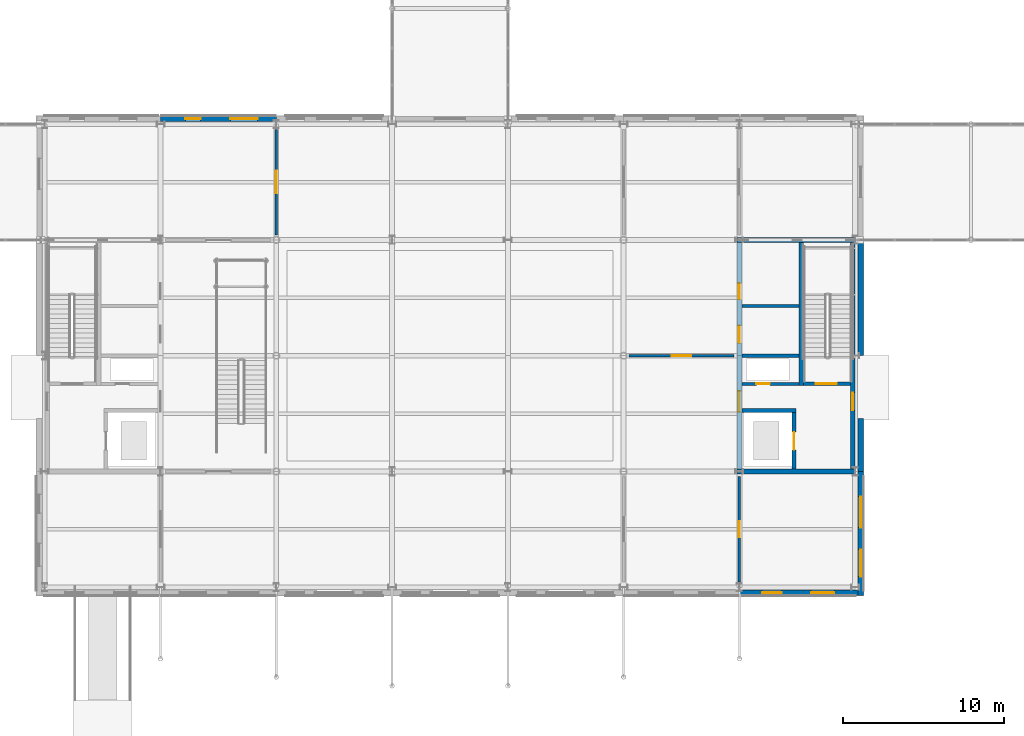
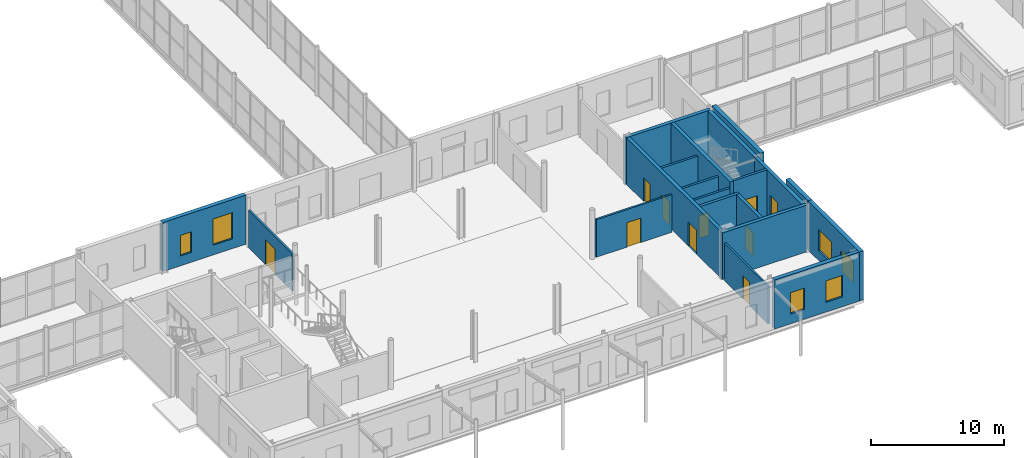
# One storey, part 58 of 92: 20 walls, 10 doors, 6 windows, 16 openings.
"""IFC4 building model written with IfcOpenShell, lengths in metres."""

from ifc_helpers import new_model, si_unit, direction, frame, frame_2d, origin, place, context, subcontext, project, spatial, rectangle, extrude, material, layer, layer_set, type_object, element, fill, save


model = new_model("IFC4")

# Units and contexts
model_context = context("Model", 3, precision=1e-05, world=origin(), true_north=direction((0.0, 1.0)))
body_context = subcontext(model_context, "Body", "Model", "MODEL_VIEW")
ifc_project = project(units=[si_unit("LENGTHUNIT", "METRE"), si_unit("AREAUNIT", "SQUARE_METRE"), si_unit("VOLUMEUNIT", "CUBIC_METRE"), si_unit("PLANEANGLEUNIT", "RADIAN"), si_unit("MASSUNIT", "GRAM", prefix="KILO")], contexts=[model_context])

# Site, building, storey
site_placement = place(None, origin())
site = spatial("IfcSite", under=ifc_project, at=site_placement, CompositionType="ELEMENT")
building_placement = place(site_placement, origin())
building = spatial("IfcBuilding", under=site, at=building_placement, Name="Zlatovets Crest Museum", CompositionType="ELEMENT")
storey_placement = place(building_placement, origin())
storey = spatial("IfcBuildingStorey", under=building, at=storey_placement, Name="L00", CompositionType="ELEMENT", Elevation=0.0)

# Walls
ifc_material_1 = material(Name="Concrete C35/45", Category="concrete")
ifc_layer_1 = layer(ifc_material_1, 0.300048828125)
ifc_layer_set_1 = layer_set([ifc_layer_1], Name="Concrete C35/45")
wall_type_1 = type_object("IfcWallType", Name="CoreWall_SW01", PredefinedType="SHEAR", material=ifc_layer_set_1)
for number, where, z_axis, x_axis, name in (
    (1, (100.64990234375, 7.199951171875, 0.0), (0.0, 0.0, 1.0), (1.0, 0.0, 0.0), "Core C8 L00 South Shear Wall"),
    (2, (100.64990234375, 21.60009765625, 0.0), (0.0, 0.0, 1.0), (1.0, 0.0, 0.0), "Core C8 L00 North Shear Wall"),
):
    element("IfcWall", number, at=place(storey_placement, frame(where, z_axis=z_axis, x_axis=x_axis)), inside=storey, type_object=wall_type_1, Name=name, PredefinedType="SHEAR", context=body_context, shape_type="SweptSolid", body=[
        extrude(rectangle(XDim=7.35009765625, YDim=0.300048828125, at=frame_2d((3.675048828125, 0.0))), origin(), (0.0, 0.0, 1.0), 4.280029296875),
    ])

# Wall, opening, door
wall_1_placement = place(storey_placement, frame((107.85009765625, 7.35009765625, 0.0), z_axis=(0.0, 0.0, 1.0), x_axis=(0.0, 1.0, 0.0)))
wall_1 = element("IfcWall", 3, at=wall_1_placement, inside=storey, type_object=wall_type_1, Name="Core C8 L00 Protected Lobby Exterior Shear Wall", PredefinedType="SHEAR", context=body_context, shape_type="SweptSolid", body=[
    extrude(rectangle(XDim=7.0498046875, YDim=0.300048828125, at=frame_2d((3.52490234375, 0.0))), origin(), (0.0, 0.0, 1.0), 4.280029296875),
])
opening_1_placement = place(wall_1_placement, frame((3.64990234375, 0.0, 0.0)))
opening_1 = element("IfcOpeningElement", 4, at=opening_1_placement, cuts=wall_1, Name="Opening ED-03", PredefinedType="OPENING", context=body_context, shape_type="SweptSolid", body=[
    extrude(rectangle(XDim=1.10009765625, YDim=2.199951171875, at=frame_2d((0.550048828125, 1.10009765625))), frame((0.0, 0.16015625, 0.0), z_axis=(0.0, -1.0, 0.0), x_axis=(1.0, 0.0, 0.0)), (0.0, 0.0, 1.0), 0.320068359375),
])
ifc_material_2 = material(Name="Bronze-clad insulated steel door", Category="steel")
door_type_1 = type_object("IfcDoorType", Name="ExtDoor_ED-03", OperationType="NOTDEFINED", PredefinedType="DOOR", material=ifc_material_2)
door_1_placement = place(opening_1_placement, origin())
door_1 = element("IfcDoor", 5, at=door_1_placement, inside=storey, type_object=door_type_1, Name="ED-ST9-EXIT Stair ST9 Direct Final Exterior Exit Door", OperationType="SINGLE_SWING_LEFT", OverallHeight=2.199951171875, OverallWidth=1.10009765625, PredefinedType="DOOR", context=body_context, shape_type="SweptSolid", body=[
    extrude(rectangle(XDim=1.10009765625, YDim=2.199951171875, at=frame_2d((0.550048828125, 1.10009765625))), frame((0.0, 0.02490234375, 0.0), z_axis=(0.0, -1.0, 0.0), x_axis=(1.0, 0.0, 0.0)), (0.0, 0.0, 1.0), 0.050048828125),
])
fill(opening_1, door_1)

# Wall
wall_2_placement = place(storey_placement, frame((107.85009765625, 14.39990234375, 0.0), z_axis=(0.0, 0.0, 1.0), x_axis=(0.0, 1.0, 0.0)))
element("IfcWall", 6, at=wall_2_placement, inside=storey, type_object=wall_type_1, Name="Core C8 L00 Stairwell Perimeter Shear Wall", PredefinedType="SHEAR", context=body_context, shape_type="SweptSolid", body=[
    extrude(rectangle(XDim=7.050048828125, YDim=0.300048828125, at=frame_2d((3.52490234375, 0.0))), origin(), (0.0, 0.0, 1.0), 4.280029296875),
])

# Wall, openings, doors
wall_3_placement = place(storey_placement, frame((100.800048828125, 7.35009765625, 0.0), z_axis=(0.0, 0.0, 1.0), x_axis=(0.0, 1.0, 0.0)))
wall_3 = element("IfcWall", 7, at=wall_3_placement, inside=storey, type_object=wall_type_1, Name="Core C8 L00 Spine Shear Wall", PredefinedType="SHEAR", context=body_context, shape_type="SweptSolid", body=[
    extrude(rectangle(XDim=14.099853515625, YDim=0.300048828125, at=frame_2d((7.0498046875, 0.0))), origin(), (0.0, 0.0, 1.0), 4.280029296875),
])
opening_2_placement = place(wall_3_placement, frame((3.550048828125, 0.0, 0.0)))
opening_2 = element("IfcOpeningElement", 8, at=opening_2_placement, cuts=wall_3, Name="Opening FD-01", PredefinedType="OPENING", context=body_context, shape_type="SweptSolid", body=[
    extrude(rectangle(XDim=1.300048828125, YDim=2.199951171875, at=frame_2d((0.64990234375, 1.10009765625))), frame((0.0, 0.16015625, 0.0), z_axis=(0.0, -1.0, 0.0), x_axis=(1.0, 0.0, 0.0)), (0.0, 0.0, 1.0), 0.320068359375),
])
opening_3_placement = place(wall_3_placement, frame((7.85009765625, 0.0, 0.0)))
opening_3 = element("IfcOpeningElement", 9, at=opening_3_placement, cuts=wall_3, Name="Opening ID-02", PredefinedType="OPENING", context=body_context, shape_type="SweptSolid", body=[
    extrude(rectangle(XDim=1.050048828125, YDim=2.14990234375, at=frame_2d((0.52490234375, 1.074951171875))), frame((0.0, 0.16015625, 0.0), z_axis=(0.0, -1.0, 0.0), x_axis=(1.0, 0.0, 0.0)), (0.0, 0.0, 1.0), 0.320068359375),
])
opening_4_placement = place(wall_3_placement, frame((10.550048828125, 0.0, 0.0)))
opening_4 = element("IfcOpeningElement", 10, at=opening_4_placement, cuts=wall_3, Name="Opening ID-01", PredefinedType="OPENING", context=body_context, shape_type="SweptSolid", body=[
    extrude(rectangle(XDim=1.0, YDim=2.14990234375, at=frame_2d((0.5, 1.074951171875))), frame((0.0, 0.16015625, 0.0), z_axis=(0.0, -1.0, 0.0), x_axis=(1.0, 0.0, 0.0)), (0.0, 0.0, 1.0), 0.320068359375),
])
ifc_material_3 = material(Name="Smoke-sealed steel fire door", Category="steel")
door_type_2 = type_object("IfcDoorType", Name="IntDoor_FD-01", OperationType="NOTDEFINED", PredefinedType="DOOR", material=ifc_material_3)
door_2_placement = place(opening_2_placement, origin())
door_2 = element("IfcDoor", 11, at=door_2_placement, inside=storey, type_object=door_type_2, Name="CDOOR-C8-L00-LOB Core C8 L00 Lobby Fire Door", OperationType="SINGLE_SWING_RIGHT", OverallHeight=2.199951171875, OverallWidth=1.300048828125, PredefinedType="DOOR", context=body_context, shape_type="SweptSolid", body=[
    extrude(rectangle(XDim=1.300048828125, YDim=2.199951171875, at=frame_2d((0.64990234375, 1.10009765625))), frame((0.0, 0.02490234375, 0.0), z_axis=(0.0, -1.0, 0.0), x_axis=(1.0, 0.0, 0.0)), (0.0, 0.0, 1.0), 0.050048828125),
])
fill(opening_2, door_2)
ifc_material_4 = material(Name="Solid oak museum room door")
door_type_3 = type_object("IfcDoorType", Name="IntDoor_ID-01", OperationType="NOTDEFINED", PredefinedType="DOOR", material=ifc_material_4)
door_3_placement = place(opening_4_placement, origin())
door_3 = element("IfcDoor", 12, at=door_3_placement, inside=storey, type_object=door_type_3, Name="CDOOR-C8-L00-WC Core C8 L00 Public Restroom Door", OperationType="SINGLE_SWING_RIGHT", OverallHeight=2.14990234375, OverallWidth=1.0, PredefinedType="DOOR", context=body_context, shape_type="SweptSolid", body=[
    extrude(rectangle(XDim=1.0, YDim=2.14990234375, at=frame_2d((0.5, 1.074951171875))), frame((0.0, 0.02490234375, 0.0), z_axis=(0.0, -1.0, 0.0), x_axis=(1.0, 0.0, 0.0)), (0.0, 0.0, 1.0), 0.050048828125),
])
fill(opening_4, door_3)
ifc_material_5 = material(Name="Accessible sanitary room door")
door_type_4 = type_object("IfcDoorType", Name="IntDoor_ID-02", OperationType="NOTDEFINED", PredefinedType="DOOR", material=ifc_material_5)
door_4_placement = place(opening_3_placement, origin())
door_4 = element("IfcDoor", 13, at=door_4_placement, inside=storey, type_object=door_type_4, Name="CDOOR-C8-L00-AWC Core C8 L00 Accessible WC Door", OperationType="SINGLE_SWING_LEFT", OverallHeight=2.14990234375, OverallWidth=1.050048828125, PredefinedType="DOOR", context=body_context, shape_type="SweptSolid", body=[
    extrude(rectangle(XDim=1.050048828125, YDim=2.14990234375, at=frame_2d((0.52490234375, 1.074951171875))), frame((0.0, 0.02490234375, 0.0), z_axis=(0.0, -1.0, 0.0), x_axis=(1.0, 0.0, 0.0)), (0.0, 0.0, 1.0), 0.050048828125),
])
fill(opening_3, door_4)

# Wall
wall_4_placement = place(storey_placement, frame((104.64990234375, 12.5400390625, 0.0), z_axis=(0.0, 0.0, 1.0), x_axis=(0.0, 1.0, 0.0)))
element("IfcWall", 14, at=wall_4_placement, inside=storey, type_object=wall_type_1, Name="Core C8 L00 Stair Divider Wall", PredefinedType="SHEAR", context=body_context, shape_type="SweptSolid", body=[
    extrude(rectangle(XDim=8.909912109375, YDim=0.300048828125, at=frame_2d((4.455078125, 0.0))), origin(), (0.0, 0.0, 1.0), 4.280029296875),
])

# Wall, opening, door
ifc_layer_2 = layer(ifc_material_1, 0.25)
ifc_layer_set_2 = layer_set([ifc_layer_2], Name="Concrete C35/45")
wall_type_2 = type_object("IfcWallType", Name="CoreWall_SW02", PredefinedType="SHEAR", material=ifc_layer_set_2)
wall_5_placement = place(storey_placement, frame((104.199951171875, 7.35009765625, 0.0), z_axis=(0.0, 0.0, 1.0), x_axis=(0.0, 1.0, 0.0)))
wall_5 = element("IfcWall", 15, at=wall_5_placement, inside=storey, type_object=wall_type_2, Name="Core C8 L00 Lift Shaft Wall", PredefinedType="SHEAR", context=body_context, shape_type="SweptSolid", body=[
    extrude(rectangle(XDim=3.52490234375, YDim=0.25, at=frame_2d((1.762451171875, 0.0))), origin(), (0.0, 0.0, 1.0), 4.280029296875),
])
opening_5_placement = place(wall_5_placement, frame((1.199951171875, 0.0, 0.0)))
opening_5 = element("IfcOpeningElement", 16, at=opening_5_placement, cuts=wall_5, Name="Opening LD-01", PredefinedType="OPENING", context=body_context, shape_type="SweptSolid", body=[
    extrude(rectangle(XDim=1.10009765625, YDim=2.14990234375, at=frame_2d((0.550048828125, 1.074951171875))), frame((0.0, 0.135009765625, 0.0), z_axis=(0.0, -1.0, 0.0), x_axis=(1.0, 0.0, 0.0)), (0.0, 0.0, 1.0), 0.27001953125),
])
ifc_material_6 = material(Name="Stainless-bronze sliding lift landing door")
door_type_5 = type_object("IfcDoorType", Name="IntDoor_LD-01", OperationType="SLIDING_TO_LEFT", PredefinedType="DOOR", material=ifc_material_6)
door_5_placement = place(opening_5_placement, origin())
door_5 = element("IfcDoor", 17, at=door_5_placement, inside=storey, type_object=door_type_5, Name="LDOOR-PL5-L00 Lift PL5 L00 Sliding Landing Door", OperationType="SLIDING_TO_LEFT", OverallHeight=2.14990234375, OverallWidth=1.10009765625, PredefinedType="DOOR", context=body_context, shape_type="SweptSolid", body=[
    extrude(rectangle(XDim=1.10009765625, YDim=2.14990234375, at=frame_2d((0.550048828125, 1.074951171875))), frame((0.0, 0.02490234375, 0.0), z_axis=(0.0, -1.0, 0.0), x_axis=(1.0, 0.0, 0.0)), (0.0, 0.0, 1.0), 0.050048828125),
])
fill(opening_5, door_5)

wall_6_placement = place(storey_placement, frame((104.800048828125, 12.64990234375, 0.0), z_axis=(0.0, 0.0, 1.0), x_axis=(1.0, 0.0, 0.0)))
wall_6 = element("IfcWall", 18, at=wall_6_placement, inside=storey, type_object=wall_type_2, Name="Core C8 L00 Stairwell Fire Wall", PredefinedType="SHEAR", context=body_context, shape_type="SweptSolid", body=[
    extrude(rectangle(XDim=2.89990234375, YDim=0.219970703125, at=frame_2d((1.449951171875, 0.0))), origin(), (0.0, 0.0, 1.0), 4.280029296875),
])
opening_6_placement = place(wall_6_placement, frame((0.75, 0.0, 0.0)))
opening_6 = element("IfcOpeningElement", 19, at=opening_6_placement, cuts=wall_6, Name="Opening FD-01", PredefinedType="OPENING", context=body_context, shape_type="SweptSolid", body=[
    extrude(rectangle(XDim=1.300048828125, YDim=2.199951171875, at=frame_2d((0.64990234375, 1.10009765625))), frame((0.0, 0.1201171875, 0.0), z_axis=(0.0, -1.0, 0.0), x_axis=(1.0, 0.0, 0.0)), (0.0, 0.0, 1.0), 0.239990234375),
])
door_6_placement = place(opening_6_placement, origin())
door_6 = element("IfcDoor", 20, at=door_6_placement, inside=storey, type_object=door_type_2, Name="SDOOR-ST9-L00 Stair ST9 L00 Fire Door", OperationType="SINGLE_SWING_LEFT", OverallHeight=2.199951171875, OverallWidth=1.300048828125, PredefinedType="DOOR", context=body_context, shape_type="SweptSolid", body=[
    extrude(rectangle(XDim=1.300048828125, YDim=2.199951171875, at=frame_2d((0.64990234375, 1.10009765625))), frame((0.0, 0.02490234375, 0.0), z_axis=(0.0, -1.0, 0.0), x_axis=(1.0, 0.0, 0.0)), (0.0, 0.0, 1.0), 0.050048828125),
])
fill(opening_6, door_6)

# Wall
wall_7_placement = place(storey_placement, frame((100.949951171875, 11.0, 0.0), z_axis=(0.0, 0.0, 1.0), x_axis=(1.0, 0.0, 0.0)))
element("IfcWall", 21, at=wall_7_placement, inside=storey, type_object=wall_type_2, Name="Core C8 L00 Lift Shaft North Shear Wall", PredefinedType="SHEAR", context=body_context, shape_type="SweptSolid", body=[
    extrude(rectangle(XDim=3.375, YDim=0.25, at=frame_2d((1.6875, 0.0))), origin(), (0.0, 0.0, 1.0), 4.280029296875),
])

# Wall, openings, windows
ifc_material_7 = material(Name="Vratsa limestone ashlar masonry and mineral wool", Category="masonry")
ifc_layer_3 = layer(ifc_material_7, 0.35009765625)
ifc_layer_set_3 = layer_set([ifc_layer_3], Name="Vratsa limestone ashlar masonry and mineral wool")
wall_type_3 = type_object("IfcWallType", Name="ExtWall_EW-01", PredefinedType="STANDARD", material=ifc_layer_set_3)
wall_8_placement = place(storey_placement, frame((100.800048828125, -0.340087890625, 0.0), z_axis=(0.0, 0.0, 1.0), x_axis=(1.0, 0.0, 0.0)))
wall_8 = element("IfcWall", 22, at=wall_8_placement, inside=storey, type_object=wall_type_3, Name="V2 L00 Vratsa Limestone Plinth Wall", PredefinedType="STANDARD", context=body_context, shape_type="SweptSolid", body=[
    extrude(rectangle(XDim=7.364990234375, YDim=0.35009765625, at=frame_2d((3.6826171875, 0.0))), origin(), (0.0, 0.0, 1.0), 4.5),
])
opening_7_placement = place(wall_8_placement, frame((1.410888671875, 0.0, 0.89990234375)))
opening_7 = element("IfcOpeningElement", 23, at=opening_7_placement, cuts=wall_8, Name="Opening WN-35", PredefinedType="OPENING", context=body_context, shape_type="SweptSolid", body=[
    extrude(rectangle(XDim=1.2099609375, YDim=1.9599609375, at=frame_2d((0.60498046875, 0.97998046875))), frame((0.0, 0.18505859375, 0.0), z_axis=(0.0, -1.0, 0.0), x_axis=(1.0, 0.0, 0.0)), (0.0, 0.0, 1.0), 0.3701171875),
])
opening_8_placement = place(wall_8_placement, frame((4.458984375, 0.0, 0.89990234375)))
opening_8 = element("IfcOpeningElement", 24, at=opening_8_placement, cuts=wall_8, Name="Opening WN-36", PredefinedType="OPENING", context=body_context, shape_type="SweptSolid", body=[
    extrude(rectangle(XDim=1.449951171875, YDim=1.9599609375, at=frame_2d((0.72509765625, 0.97998046875))), frame((0.0, 0.18505859375, 0.0), z_axis=(0.0, -1.0, 0.0), x_axis=(1.0, 0.0, 0.0)), (0.0, 0.0, 1.0), 0.3701171875),
])
ifc_material_8 = material(Name="Bronze-anodised aluminium frame with low-E triple glass", Category="aluminium")
window_type_1 = type_object("IfcWindowType", Name="Win_WN-35", PartitioningType="SINGLE_PANEL", PredefinedType="WINDOW", material=ifc_material_8)
window_1_placement = place(opening_7_placement, origin())
window_1 = element("IfcWindow", 25, at=window_1_placement, inside=storey, type_object=window_type_1, Name="V2 L00 Secession Plinth Window WN-35", OverallHeight=1.9599609375, OverallWidth=1.2099609375, PartitioningType="SINGLE_PANEL", PredefinedType="WINDOW", context=body_context, shape_type="SweptSolid", body=[
    extrude(rectangle(XDim=1.2099609375, YDim=1.9599609375, at=frame_2d((0.60498046875, 0.97998046875))), frame((0.0, 0.030029296875, 0.0), z_axis=(0.0, -1.0, 0.0), x_axis=(1.0, 0.0, 0.0)), (0.0, 0.0, 1.0), 0.06005859375),
])
fill(opening_7, window_1)
window_type_2 = type_object("IfcWindowType", Name="Win_WN-36", PartitioningType="SINGLE_PANEL", PredefinedType="WINDOW", material=ifc_material_8)
window_2_placement = place(opening_8_placement, origin())
window_2 = element("IfcWindow", 26, at=window_2_placement, inside=storey, type_object=window_type_2, Name="V2 L00 Secession Plinth Window WN-36", OverallHeight=1.9599609375, OverallWidth=1.449951171875, PartitioningType="SINGLE_PANEL", PredefinedType="WINDOW", context=body_context, shape_type="SweptSolid", body=[
    extrude(rectangle(XDim=1.449951171875, YDim=1.9599609375, at=frame_2d((0.72509765625, 0.97998046875))), frame((0.0, 0.030029296875, 0.0), z_axis=(0.0, -1.0, 0.0), x_axis=(1.0, 0.0, 0.0)), (0.0, 0.0, 1.0), 0.06005859375),
])
fill(opening_8, window_2)

wall_9_placement = place(storey_placement, frame((108.340087890625, -0.514892578125, 0.0), z_axis=(0.0, 0.0, 1.0), x_axis=(0.0, 1.0, 0.0)))
wall_9 = element("IfcWall", 27, at=wall_9_placement, inside=storey, type_object=wall_type_3, Name="V2 L00 Vratsa Limestone Plinth Wall", PredefinedType="STANDARD", context=body_context, shape_type="SweptSolid", body=[
    extrude(rectangle(XDim=7.71484375, YDim=0.35009765625, at=frame_2d((3.857421875, 0.0))), origin(), (0.0, 0.0, 1.0), 4.5),
])
opening_9_placement = place(wall_9_placement, frame((1.1708984375, 0.0, 0.89990234375)))
opening_9 = element("IfcOpeningElement", 28, at=opening_9_placement, cuts=wall_9, Name="Opening WN-37", PredefinedType="OPENING", context=body_context, shape_type="SweptSolid", body=[
    extrude(rectangle(XDim=1.68994140625, YDim=1.9599609375, at=frame_2d((0.844970703125, 0.97998046875))), frame((0.0, 0.18505859375, 0.0), z_axis=(0.0, -1.0, 0.0), x_axis=(1.0, 0.0, 0.0)), (0.0, 0.0, 1.0), 0.3701171875),
])
opening_10_placement = place(wall_9_placement, frame((4.218994140625, 0.0, 0.89990234375)))
opening_10 = element("IfcOpeningElement", 29, at=opening_10_placement, cuts=wall_9, Name="Opening WN-38", PredefinedType="OPENING", context=body_context, shape_type="SweptSolid", body=[
    extrude(rectangle(XDim=1.929931640625, YDim=1.9599609375, at=frame_2d((0.96484375, 0.97998046875))), frame((0.0, 0.18505859375, 0.0), z_axis=(0.0, -1.0, 0.0), x_axis=(1.0, 0.0, 0.0)), (0.0, 0.0, 1.0), 0.3701171875),
])
window_type_3 = type_object("IfcWindowType", Name="Win_WN-37", PartitioningType="SINGLE_PANEL", PredefinedType="WINDOW", material=ifc_material_8)
window_3_placement = place(opening_9_placement, origin())
window_3 = element("IfcWindow", 30, at=window_3_placement, inside=storey, type_object=window_type_3, Name="V2 L00 Secession Plinth Window WN-37", OverallHeight=1.9599609375, OverallWidth=1.68994140625, PartitioningType="SINGLE_PANEL", PredefinedType="WINDOW", context=body_context, shape_type="SweptSolid", body=[
    extrude(rectangle(XDim=1.68994140625, YDim=1.9599609375, at=frame_2d((0.844970703125, 0.97998046875))), frame((0.0, 0.030029296875, 0.0), z_axis=(0.0, -1.0, 0.0), x_axis=(1.0, 0.0, 0.0)), (0.0, 0.0, 1.0), 0.06005859375),
])
fill(opening_9, window_3)
window_type_4 = type_object("IfcWindowType", Name="Win_WN-38", PartitioningType="SINGLE_PANEL", PredefinedType="WINDOW", material=ifc_material_8)
window_4_placement = place(opening_10_placement, origin())
window_4 = element("IfcWindow", 31, at=window_4_placement, inside=storey, type_object=window_type_4, Name="V2 L00 Secession Plinth Window WN-38", OverallHeight=1.9599609375, OverallWidth=1.929931640625, PartitioningType="SINGLE_PANEL", PredefinedType="WINDOW", context=body_context, shape_type="SweptSolid", body=[
    extrude(rectangle(XDim=1.929931640625, YDim=1.9599609375, at=frame_2d((0.96484375, 0.97998046875))), frame((0.0, 0.030029296875, 0.0), z_axis=(0.0, -1.0, 0.0), x_axis=(1.0, 0.0, 0.0)), (0.0, 0.0, 1.0), 0.06005859375),
])
fill(opening_10, window_4)

# Walls
wall_10_placement = place(storey_placement, frame((108.340087890625, 7.199951171875, 0.0), z_axis=(0.0, 0.0, 1.0), x_axis=(0.0, 1.0, 0.0)))
element("IfcWall", 32, at=wall_10_placement, inside=storey, type_object=wall_type_3, Name="V2 L00 Vratsa Limestone Core Plinth", PredefinedType="STANDARD", context=body_context, shape_type="SweptSolid", body=[
    extrude(rectangle(XDim=3.300048828125, YDim=0.35009765625, at=frame_2d((1.64990234375, 0.0))), origin(), (0.0, 0.0, 1.0), 4.5),
])
wall_11_placement = place(storey_placement, frame((108.340087890625, 14.39990234375, 0.0), z_axis=(0.0, 0.0, 1.0), x_axis=(0.0, 1.0, 0.0)))
element("IfcWall", 33, at=wall_11_placement, inside=storey, type_object=wall_type_3, Name="V2 L00 Vratsa Limestone Core Plinth", PredefinedType="STANDARD", context=body_context, shape_type="SweptSolid", body=[
    extrude(rectangle(XDim=7.2001953125, YDim=0.35009765625, at=frame_2d((3.60009765625, 0.0))), origin(), (0.0, 0.0, 1.0), 4.5),
])

# Wall, openings, windows
wall_12_placement = place(storey_placement, frame((72.0, 29.139892578125, 0.0), z_axis=(0.0, 0.0, 1.0), x_axis=(-1.0, 0.0, 0.0)))
wall_12 = element("IfcWall", 34, at=wall_12_placement, inside=storey, type_object=wall_type_3, Name="V2 L00 Vratsa Limestone Plinth Wall", PredefinedType="STANDARD", context=body_context, shape_type="SweptSolid", body=[
    extrude(rectangle(XDim=7.199951171875, YDim=0.35009765625, at=frame_2d((3.60009765625, 0.0))), origin(), (0.0, 0.0, 1.0), 4.5),
])
opening_11_placement = place(wall_12_placement, frame((1.166015625, 0.0, 0.89990234375)))
opening_11 = element("IfcOpeningElement", 35, at=opening_11_placement, cuts=wall_12, Name="Opening WN-10", PredefinedType="OPENING", context=body_context, shape_type="SweptSolid", body=[
    extrude(rectangle(XDim=1.699951171875, YDim=2.39990234375, at=frame_2d((0.85009765625, 1.199951171875))), frame((0.0, 0.18505859375, 0.0), z_axis=(0.0, -1.0, 0.0), x_axis=(1.0, 0.0, 0.0)), (0.0, 0.0, 1.0), 0.3701171875),
])
opening_12_placement = place(wall_12_placement, frame((4.708984375, 0.0, 0.89990234375)))
opening_12 = element("IfcOpeningElement", 36, at=opening_12_placement, cuts=wall_12, Name="Opening WN-11", PredefinedType="OPENING", context=body_context, shape_type="SweptSolid", body=[
    extrude(rectangle(XDim=0.949951171875, YDim=1.89990234375, at=frame_2d((0.47509765625, 0.949951171875))), frame((0.0, 0.18505859375, 0.0), z_axis=(0.0, -1.0, 0.0), x_axis=(1.0, 0.0, 0.0)), (0.0, 0.0, 1.0), 0.3701171875),
])
window_type_5 = type_object("IfcWindowType", Name="Win_WN-10", PartitioningType="SINGLE_PANEL", PredefinedType="WINDOW", material=ifc_material_8)
window_5_placement = place(opening_11_placement, origin())
window_5 = element("IfcWindow", 37, at=window_5_placement, inside=storey, type_object=window_type_5, Name="V2 L00 Secession Plinth Window WN-10", OverallHeight=2.39990234375, OverallWidth=1.699951171875, PartitioningType="SINGLE_PANEL", PredefinedType="WINDOW", context=body_context, shape_type="SweptSolid", body=[
    extrude(rectangle(XDim=1.699951171875, YDim=2.39990234375, at=frame_2d((0.85009765625, 1.199951171875))), frame((0.0, 0.030029296875, 0.0), z_axis=(0.0, -1.0, 0.0), x_axis=(1.0, 0.0, 0.0)), (0.0, 0.0, 1.0), 0.06005859375),
])
fill(opening_11, window_5)
window_type_6 = type_object("IfcWindowType", Name="Win_WN-11", PartitioningType="SINGLE_PANEL", PredefinedType="WINDOW", material=ifc_material_8)
window_6_placement = place(opening_12_placement, origin())
window_6 = element("IfcWindow", 38, at=window_6_placement, inside=storey, type_object=window_type_6, Name="V2 L00 Secession Plinth Window WN-11", OverallHeight=1.89990234375, OverallWidth=0.949951171875, PartitioningType="SINGLE_PANEL", PredefinedType="WINDOW", context=body_context, shape_type="SweptSolid", body=[
    extrude(rectangle(XDim=0.949951171875, YDim=1.89990234375, at=frame_2d((0.47509765625, 0.949951171875))), frame((0.0, 0.030029296875, 0.0), z_axis=(0.0, -1.0, 0.0), x_axis=(1.0, 0.0, 0.0)), (0.0, 0.0, 1.0), 0.06005859375),
])
fill(opening_12, window_6)

# Wall, opening, door
ifc_material_9 = material(Name="Acoustic museum gallery stud partition")
ifc_layer_4 = layer(ifc_material_9, 0.159912109375)
ifc_layer_set_4 = layer_set([ifc_layer_4], Name="Acoustic museum gallery stud partition")
wall_type_4 = type_object("IfcWallType", Name="PartWall_PT-02", PredefinedType="PARTITIONING", material=ifc_layer_set_4)
wall_13_placement = place(storey_placement, frame((100.800048828125, 0.320068359375, 0.0), z_axis=(0.0, 0.0, 1.0), x_axis=(0.0, 1.0, 0.0)))
wall_13 = element("IfcWall", 39, at=wall_13_placement, inside=storey, type_object=wall_type_4, Name="V2 L00 Interior Partition PT-02", PredefinedType="PARTITIONING", context=body_context, shape_type="SweptSolid", body=[
    extrude(rectangle(XDim=6.559814453125, YDim=0.159912109375, at=frame_2d((3.27978515625, 0.0))), origin(), (0.0, 0.0, 1.0), 3.449951171875),
])
opening_13_placement = place(wall_13_placement, frame((2.780029296875, 0.0, 0.0)))
opening_13 = element("IfcOpeningElement", 40, at=opening_13_placement, cuts=wall_13, Name="Opening ID-01", PredefinedType="OPENING", context=body_context, shape_type="SweptSolid", body=[
    extrude(rectangle(XDim=1.0, YDim=2.14990234375, at=frame_2d((0.5, 1.074951171875))), frame((0.0, 0.08984375, 0.0), z_axis=(0.0, -1.0, 0.0), x_axis=(1.0, 0.0, 0.0)), (0.0, 0.0, 1.0), 0.179931640625),
])
door_7_placement = place(opening_13_placement, origin())
door_7 = element("IfcDoor", 41, at=door_7_placement, inside=storey, type_object=door_type_3, Name="IDOOR-V2-L00-0058 Museum Bookshop and Art Editions to Edition Prints Kiosk Door", OperationType="SINGLE_SWING_LEFT", OverallHeight=2.14990234375, OverallWidth=1.0, PredefinedType="DOOR", context=body_context, shape_type="SweptSolid", body=[
    extrude(rectangle(XDim=1.0, YDim=2.14990234375, at=frame_2d((0.5, 1.074951171875))), frame((0.0, 0.02490234375, 0.0), z_axis=(0.0, -1.0, 0.0), x_axis=(1.0, 0.0, 0.0)), (0.0, 0.0, 1.0), 0.050048828125),
])
fill(opening_13, door_7)

wall_14_placement = place(storey_placement, frame((93.919921875, 14.39990234375, 0.0), z_axis=(0.0, 0.0, 1.0), x_axis=(1.0, 0.0, 0.0)))
wall_14 = element("IfcWall", 42, at=wall_14_placement, inside=storey, type_object=wall_type_4, Name="V2 L00 Interior Partition PT-02", PredefinedType="PARTITIONING", context=body_context, shape_type="SweptSolid", body=[
    extrude(rectangle(XDim=6.56005859375, YDim=0.159912109375, at=frame_2d((3.280029296875, 0.0))), origin(), (0.0, 0.0, 1.0), 3.449951171875),
])
opening_14_placement = place(wall_14_placement, frame((2.679931640625, 0.0, 0.0)))
opening_14 = element("IfcOpeningElement", 43, at=opening_14_placement, cuts=wall_14, Name="Opening ID-03", PredefinedType="OPENING", context=body_context, shape_type="SweptSolid", body=[
    extrude(rectangle(XDim=1.199951171875, YDim=2.25, at=frame_2d((0.60009765625, 1.125))), frame((0.0, 0.08984375, 0.0), z_axis=(0.0, -1.0, 0.0), x_axis=(1.0, 0.0, 0.0)), (0.0, 0.0, 1.0), 0.179931640625),
])
ifc_material_10 = material(Name="Conservation studio wide leaf door")
door_type_6 = type_object("IfcDoorType", Name="IntDoor_ID-03", OperationType="NOTDEFINED", PredefinedType="DOOR", material=ifc_material_10)
door_8_placement = place(opening_14_placement, origin())
door_8 = element("IfcDoor", 44, at=door_8_placement, inside=storey, type_object=door_type_6, Name="IDOOR-V2-L00-0059 Museum Bookshop and Art Editions to Temporary Exhibition Gallery Door", OperationType="SINGLE_SWING_RIGHT", OverallHeight=2.25, OverallWidth=1.199951171875, PredefinedType="DOOR", context=body_context, shape_type="SweptSolid", body=[
    extrude(rectangle(XDim=1.199951171875, YDim=2.25, at=frame_2d((0.60009765625, 1.125))), frame((0.0, 0.02490234375, 0.0), z_axis=(0.0, -1.0, 0.0), x_axis=(1.0, 0.0, 0.0)), (0.0, 0.0, 1.0), 0.050048828125),
])
fill(opening_14, door_8)

wall_15_placement = place(storey_placement, frame((72.0, 21.919921875, 0.0), z_axis=(0.0, 0.0, 1.0), x_axis=(0.0, 1.0, 0.0)))
wall_15 = element("IfcWall", 45, at=wall_15_placement, inside=storey, type_object=wall_type_4, Name="V2 L00 Interior Partition PT-02", PredefinedType="PARTITIONING", context=body_context, shape_type="SweptSolid", body=[
    extrude(rectangle(XDim=6.56005859375, YDim=0.159912109375, at=frame_2d((3.280029296875, 0.0))), origin(), (0.0, 0.0, 1.0), 3.449951171875),
])
opening_15_placement = place(wall_15_placement, frame((2.580078125, 0.0, 0.0)))
opening_15 = element("IfcOpeningElement", 46, at=opening_15_placement, cuts=wall_15, Name="Opening ID-06", PredefinedType="OPENING", context=body_context, shape_type="SweptSolid", body=[
    extrude(rectangle(XDim=1.39990234375, YDim=2.300048828125, at=frame_2d((0.699951171875, 1.14990234375))), frame((0.0, 0.08984375, 0.0), z_axis=(0.0, -1.0, 0.0), x_axis=(1.0, 0.0, 0.0)), (0.0, 0.0, 1.0), 0.179931640625),
])
ifc_material_11 = material(Name="Auditorium acoustic vestibule double door")
door_type_7 = type_object("IfcDoorType", Name="IntDoor_ID-06", OperationType="DOUBLE_DOOR_SINGLE_SWING", PredefinedType="DOOR", material=ifc_material_11)
door_9_placement = place(opening_15_placement, origin())
door_9 = element("IfcDoor", 47, at=door_9_placement, inside=storey, type_object=door_type_7, Name="IDOOR-V2-L00-0062 Court Colonnade Vestibule to Visitor Ticketing and Cloakroom Door", OperationType="DOUBLE_DOOR_SINGLE_SWING", OverallHeight=2.300048828125, OverallWidth=1.39990234375, PredefinedType="DOOR", context=body_context, shape_type="SweptSolid", body=[
    extrude(rectangle(XDim=1.39990234375, YDim=2.300048828125, at=frame_2d((0.699951171875, 1.14990234375))), frame((0.0, 0.02490234375, 0.0), z_axis=(0.0, -1.0, 0.0), x_axis=(1.0, 0.0, 0.0)), (0.0, 0.0, 1.0), 0.050048828125),
])
fill(opening_15, door_9)

ifc_material_12 = material(Name="Sanitary core acoustic service wall")
ifc_layer_5 = layer(ifc_material_12, 0.219970703125)
ifc_layer_set_5 = layer_set([ifc_layer_5], Name="Sanitary core acoustic service wall")
wall_type_5 = type_object("IfcWallType", Name="PartWall_PT-04", PredefinedType="PLUMBINGWALL", material=ifc_layer_set_5)
wall_16_placement = place(storey_placement, frame((100.949951171875, 12.64990234375, 0.0), z_axis=(0.0, 0.0, 1.0), x_axis=(1.0, 0.0, 0.0)))
wall_16 = element("IfcWall", 48, at=wall_16_placement, inside=storey, type_object=wall_type_5, Name="Core C8 L00 Riser Lobby Wall", PredefinedType="PLUMBINGWALL", context=body_context, shape_type="SweptSolid", body=[
    extrude(rectangle(XDim=3.550048828125, YDim=0.199951171875, at=frame_2d((1.77490234375, 0.0))), origin(), (0.0, 0.0, 1.0), 3.699951171875),
])
opening_16_placement = place(wall_16_placement, frame((0.89990234375, 0.0, 0.0)))
opening_16 = element("IfcOpeningElement", 49, at=opening_16_placement, cuts=wall_16, Name="Opening FD-03", PredefinedType="OPENING", context=body_context, shape_type="SweptSolid", body=[
    extrude(rectangle(XDim=0.85009765625, YDim=2.050048828125, at=frame_2d((0.425048828125, 1.02490234375))), frame((0.0, 0.10986328125, 0.0), z_axis=(0.0, -1.0, 0.0), x_axis=(1.0, 0.0, 0.0)), (0.0, 0.0, 1.0), 0.219970703125),
])
ifc_material_13 = material(Name="Steel riser shaft access fire door", Category="steel")
door_type_8 = type_object("IfcDoorType", Name="IntDoor_FD-03", OperationType="NOTDEFINED", PredefinedType="TRAPDOOR", material=ifc_material_13)
door_10_placement = place(opening_16_placement, origin())
door_10 = element("IfcDoor", 50, at=door_10_placement, inside=storey, type_object=door_type_8, Name="CDOOR-C8-L00-RIS Core C8 L00 Riser Access Door", OperationType="SINGLE_SWING_RIGHT", OverallHeight=2.050048828125, OverallWidth=0.85009765625, PredefinedType="TRAPDOOR", context=body_context, shape_type="SweptSolid", body=[
    extrude(rectangle(XDim=0.85009765625, YDim=2.050048828125, at=frame_2d((0.425048828125, 1.02490234375))), frame((0.0, 0.02490234375, 0.0), z_axis=(0.0, -1.0, 0.0), x_axis=(1.0, 0.0, 0.0)), (0.0, 0.0, 1.0), 0.050048828125),
])
fill(opening_16, door_10)

# Walls
for number, where, z_axis, x_axis, name in (
    (51, (100.949951171875, 14.39990234375, 0.0), (0.0, 0.0, 1.0), (1.0, 0.0, 0.0), "Core C8 L00 Sanitary Divider"),
    (52, (100.949951171875, 17.5, 0.0), (0.0, 0.0, 1.0), (1.0, 0.0, 0.0), "Core C8 L00 Sanitary Divider"),
):
    element("IfcWall", number, at=place(storey_placement, frame(where, z_axis=z_axis, x_axis=x_axis)), inside=storey, type_object=wall_type_5, Name=name, PredefinedType="PLUMBINGWALL", context=body_context, shape_type="SweptSolid", body=[
        extrude(rectangle(XDim=3.550048828125, YDim=0.199951171875, at=frame_2d((1.77490234375, 0.0))), origin(), (0.0, 0.0, 1.0), 3.699951171875),
    ])

save(model, "model.ifc")
